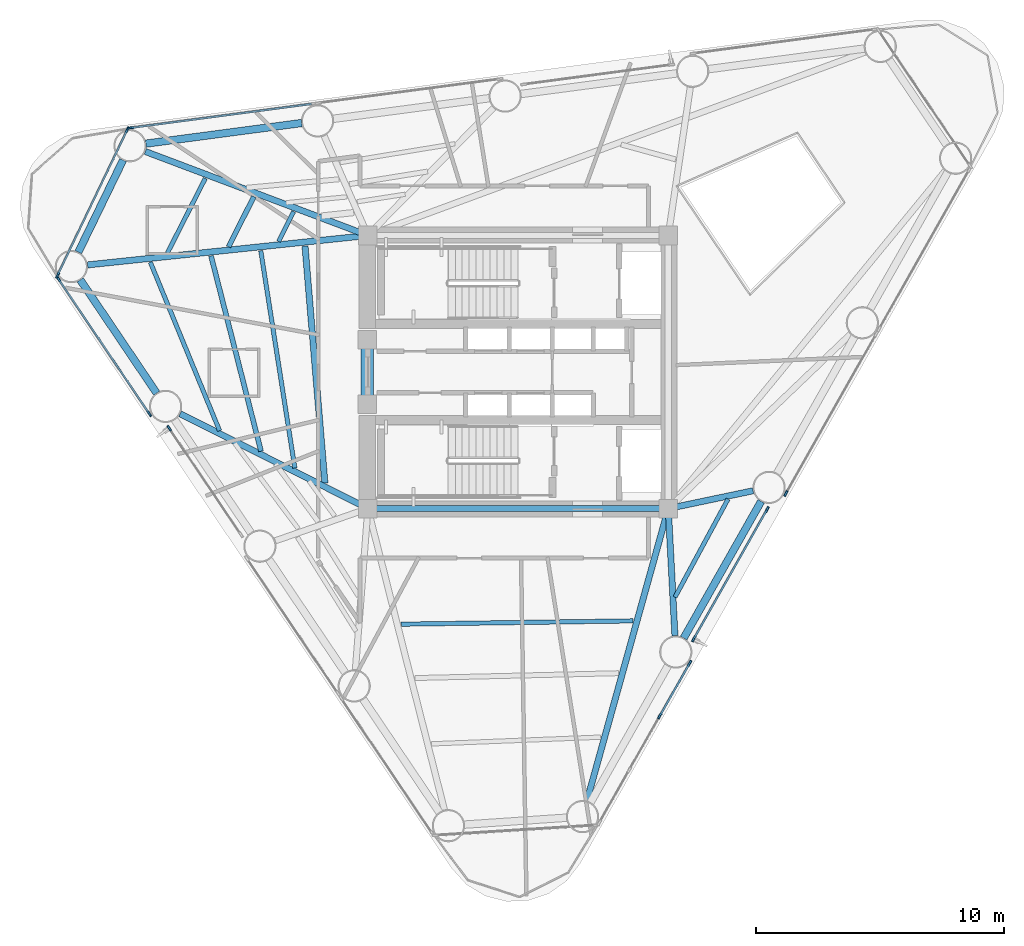
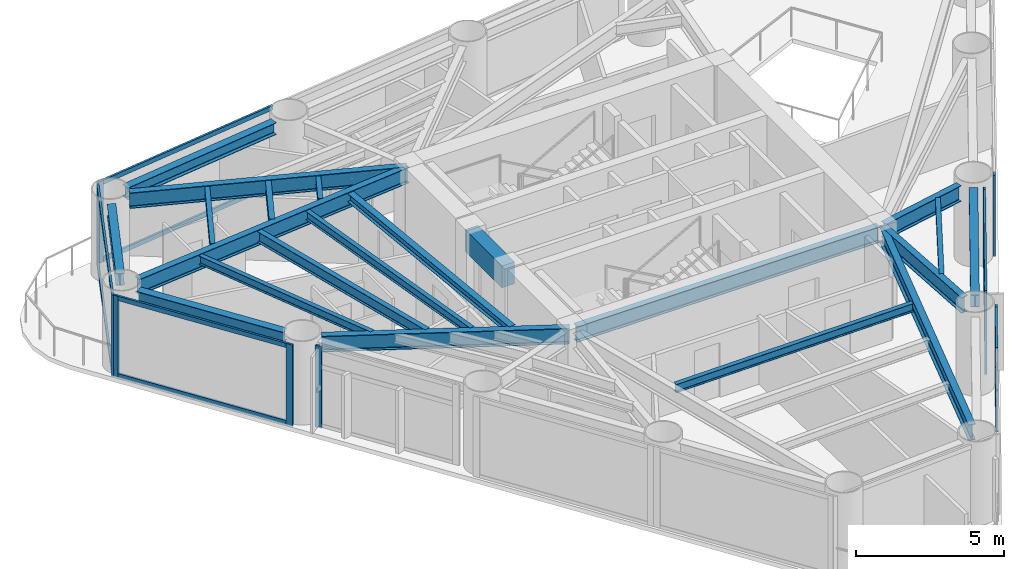
# One storey, part 2 of 9: 23 members, 21 beams, 7 elements without a shape of their own.
"""IFC4 building model written with IfcOpenShell, lengths in metres."""

from ifc_helpers import new_model, si_unit, direction, frame, origin, origin_2d, place, context, subcontext, project, spatial, rectangle, i_section, extrude, source, transform, mapped, material, layer, layer_set, material_profile, profile_set, type_object, element, aggregate, save


model = new_model("IFC4")

# Units and contexts
model_context = context("Model", 3, precision=1e-05, world=origin(), true_north=direction((0.0, 1.0)))
body_context = subcontext(model_context, "Body", "Model", "MODEL_VIEW")
ifc_project = project(units=[si_unit("LENGTHUNIT", "METRE"), si_unit("AREAUNIT", "SQUARE_METRE"), si_unit("VOLUMEUNIT", "CUBIC_METRE"), si_unit("PLANEANGLEUNIT", "RADIAN"), si_unit("MASSUNIT", "GRAM", prefix="KILO")], contexts=[model_context])

# Site, building, storey
site_placement = place(None, origin())
site = spatial("IfcSite", under=ifc_project, at=site_placement, CompositionType="ELEMENT")
building_placement = place(site_placement, origin())
building = spatial("IfcBuilding", under=site, at=building_placement, Name="Yunling Apex Tower", CompositionType="ELEMENT")
storey_placement = place(building_placement, frame((0.0, 0.0, 162.199951171875)))
storey = spatial("IfcBuildingStorey", under=building, at=storey_placement, Name="L39", CompositionType="ELEMENT", Elevation=162.199951171875)

# Beams
ifc_material_1 = material(Name="Concrete C50", Category="concrete")
ifc_material_profile_1 = material_profile(ifc_material_1, rectangle(XDim=0.5, YDim=0.89990234375, at=origin_2d()))
ifc_profile_set_1 = profile_set([ifc_material_profile_1], Name="Concrete C50")
beam_type_1 = type_object("IfcBeamType", Name="BC-CPL-2", PredefinedType="BEAM", material=ifc_profile_set_1)
shared_shape_1 = source(origin(), body_context, "Body", "SweptSolid", [
    extrude(rectangle(XDim=0.5, YDim=0.89990234375, at=origin_2d()), origin(), (0.0, 0.0, 1.0), 2.5),
])
beam_1_placement = place(storey_placement, frame((-6.074951171875, -1.25, 2.820068359375), z_axis=(0.0, 1.0, 0.0), x_axis=(-1.0, 0.0, 0.0)))
element("IfcBeam", 1, at=beam_1_placement, inside=storey, type_object=beam_type_1, Name="L39 Core West Portal Coupling Beam", PredefinedType="BEAM", context=body_context, shape_type="MappedRepresentation", body=[
    mapped(shared_shape_1, transform((0.0, 0.0, 0.0), scale=1.0)),
])
ifc_material_2 = material(Name="Steel Q355B", Category="steel")
ifc_material_profile_2 = material_profile(ifc_material_2, i_section(OverallWidth=0.25, OverallDepth=0.64990234375, WebThickness=0.011962890625, FlangeThickness=0.02001953125, FilletRadius=0.02392578125, at=origin_2d()))
ifc_profile_set_2 = profile_set([ifc_material_profile_2], Name="Steel Q355B")
beam_type_2 = type_object("IfcBeamType", Name="BG-PRI-4", PredefinedType="USERDEFINED", material=ifc_profile_set_2)
shared_shape_2 = source(origin(), body_context, "Body", "SweptSolid", [
    extrude(i_section(OverallWidth=0.25, OverallDepth=0.64990234375, WebThickness=0.011962890625, FlangeThickness=0.02001953125, FilletRadius=0.02392578125, at=origin_2d()), origin(), (0.0, 0.0, 1.0), 11.7998046875),
])
beam_2_placement = place(storey_placement, frame((-5.89990234375, -5.5, 2.945068359375), z_axis=(1.0, 0.0, 0.0), x_axis=(0.0, 1.0, 0.0)))
element("IfcBeam", 2, at=beam_2_placement, inside=storey, type_object=beam_type_2, Name="L39 Core Ring Tie Beam 1", ObjectType="GIRDER", PredefinedType="USERDEFINED", context=body_context, shape_type="MappedRepresentation", body=[
    mapped(shared_shape_2, transform((0.0, 0.0, 0.0), scale=1.0)),
])
ifc_material_profile_3 = material_profile(ifc_material_2, i_section(OverallWidth=0.300048828125, OverallDepth=0.489990234375, WebThickness=0.010986328125, FlangeThickness=0.01806640625, FilletRadius=0.02197265625, at=origin_2d()))
ifc_profile_set_3 = profile_set([ifc_material_profile_3], Name="Steel Q355B")
beam_type_3 = type_object("IfcBeamType", Name="BP-SPN-2", PredefinedType="SPANDREL", material=ifc_profile_set_3)
shared_shape_3 = source(origin(), body_context, "Body", "SweptSolid", [
    extrude(i_section(OverallWidth=0.300048828125, OverallDepth=0.489990234375, WebThickness=0.010986328125, FlangeThickness=0.01806640625, FilletRadius=0.02197265625, at=origin_2d()), origin(), (0.0, 0.0, 1.0), 6.33251953125),
])
for number, where, z_axis, x_axis, name in (
    (3, (6.66943359375, -10.717529296875, 3.025146484375), (0.493030081742, 0.870012263418, 0.0), (-0.870012263418, 0.493030081742, 0.0), "L39 Perimeter Spandrel Beam 2"),
    (4, (-8.715576171875, 10.02978515625, 3.025146484375), (-0.991351373324, -0.131234349957, 0.0), (0.131234349957, -0.991351373324, 0.0), "L39 Perimeter Spandrel Beam 9"),
):
    element("IfcBeam", number, at=place(storey_placement, frame(where, z_axis=z_axis, x_axis=x_axis)), inside=storey, type_object=beam_type_3, Name=name, PredefinedType="SPANDREL", context=body_context, shape_type="MappedRepresentation", body=[
        mapped(shared_shape_3, transform((0.0, 0.0, 0.0), scale=1.0)),
    ])
shared_shape_4 = source(origin(), body_context, "Body", "SweptSolid", [
    extrude(i_section(OverallWidth=0.300048828125, OverallDepth=0.489990234375, WebThickness=0.010986328125, FlangeThickness=0.01806640625, FilletRadius=0.02197265625, at=origin_2d()), origin(), (0.0, 0.0, 1.0), 4.1240234375),
])
beam_3_placement = place(storey_placement, frame((-15.9130859375, 8.534912109375, 3.025146484375), z_axis=(-0.436645295051, -0.899633751206, 0.0), x_axis=(0.899633751206, -0.436645295051, 0.0)))
element("IfcBeam", 5, at=beam_3_placement, inside=storey, type_object=beam_type_3, Name="L39 Perimeter Spandrel Beam 10", PredefinedType="SPANDREL", context=body_context, shape_type="MappedRepresentation", body=[
    mapped(shared_shape_4, transform((0.0, 0.0, 0.0), scale=1.0)),
])
shared_shape_5 = source(origin(), body_context, "Body", "SweptSolid", [
    extrude(i_section(OverallWidth=0.300048828125, OverallDepth=0.489990234375, WebThickness=0.010986328125, FlangeThickness=0.01806640625, FilletRadius=0.02197265625, at=origin_2d()), origin(), (0.0, 0.0, 1.0), 5.5029296875),
])
beam_4_placement = place(storey_placement, frame((-17.635009765625, 3.711181640625, 3.025146484375), z_axis=(0.559227477119, -0.829014251286, 0.0), x_axis=(0.829014251286, 0.559227477119, 0.0)))
element("IfcBeam", 6, at=beam_4_placement, inside=storey, type_object=beam_type_3, Name="L39 Perimeter Spandrel Beam 11", PredefinedType="SPANDREL", context=body_context, shape_type="MappedRepresentation", body=[
    mapped(shared_shape_5, transform((0.0, 0.0, 0.0), scale=1.0)),
])
shared_shape_6 = source(origin(), body_context, "Body", "SweptSolid", [
    extrude(i_section(OverallWidth=0.25, OverallDepth=0.64990234375, WebThickness=0.011962890625, FlangeThickness=0.02001953125, FilletRadius=0.02392578125, at=origin_2d()), origin(), (0.0, 0.0, 1.0), 12.141845703125),
])
beam_5_placement = place(storey_placement, frame((2.771240234375, -17.27392578125, 2.945068359375), z_axis=(0.268272262363, 0.9633431337, 0.0), x_axis=(-0.9633431337, 0.268272262363, 0.0)))
element("IfcBeam", 7, at=beam_5_placement, inside=storey, type_object=beam_type_2, Name="L39 Radial Primary Girder R01", ObjectType="GIRDER", PredefinedType="USERDEFINED", context=body_context, shape_type="MappedRepresentation", body=[
    mapped(shared_shape_6, transform((0.0, 0.0, 0.0), scale=1.0)),
])
shared_shape_7 = source(origin(), body_context, "Body", "SweptSolid", [
    extrude(i_section(OverallWidth=0.25, OverallDepth=0.64990234375, WebThickness=0.011962890625, FlangeThickness=0.02001953125, FilletRadius=0.02392578125, at=origin_2d()), origin(), (0.0, 0.0, 1.0), 5.0478515625),
])
beam_6_placement = place(storey_placement, frame((6.317626953125, -10.620849609375, 2.945068359375), z_axis=(-0.052185671931, 0.998637399482, 0.0), x_axis=(-0.998637399482, -0.052185671931, 0.0)))
element("IfcBeam", 8, at=beam_6_placement, inside=storey, type_object=beam_type_2, Name="L39 Radial Primary Girder R02", ObjectType="GIRDER", PredefinedType="USERDEFINED", context=body_context, shape_type="MappedRepresentation", body=[
    mapped(shared_shape_7, transform((0.0, 0.0, 0.0), scale=1.0)),
])
shared_shape_8 = source(origin(), body_context, "Body", "SweptSolid", [
    extrude(i_section(OverallWidth=0.25, OverallDepth=0.64990234375, WebThickness=0.011962890625, FlangeThickness=0.02001953125, FilletRadius=0.02392578125, at=origin_2d()), origin(), (0.0, 0.0, 1.0), 3.409423828125),
])
beam_7_placement = place(storey_placement, frame((9.465087890625, -4.783203125, 2.945068359375), z_axis=(-0.978668904593, -0.205443849219, 0.0), x_axis=(0.205443849219, -0.978668904593, 0.0)))
element("IfcBeam", 9, at=beam_7_placement, inside=storey, type_object=beam_type_2, Name="L39 Radial Primary Girder R03", ObjectType="GIRDER", PredefinedType="USERDEFINED", context=body_context, shape_type="MappedRepresentation", body=[
    mapped(shared_shape_8, transform((0.0, 0.0, 0.0), scale=1.0)),
])
shared_shape_9 = source(origin(), body_context, "Body", "SweptSolid", [
    extrude(i_section(OverallWidth=0.25, OverallDepth=0.64990234375, WebThickness=0.011962890625, FlangeThickness=0.02001953125, FilletRadius=0.02392578125, at=origin_2d()), origin(), (0.0, 0.0, 1.0), 9.502685546875),
])
beam_8_placement = place(storey_placement, frame((-15.01611328125, 8.882080078125, 2.945068359375), z_axis=(0.935649587533, -0.352930374648, 0.0), x_axis=(0.352930374648, 0.935649587533, 0.0)))
element("IfcBeam", 10, at=beam_8_placement, inside=storey, type_object=beam_type_2, Name="L39 Radial Primary Girder R10", ObjectType="GIRDER", PredefinedType="USERDEFINED", context=body_context, shape_type="MappedRepresentation", body=[
    mapped(shared_shape_9, transform((0.0, 0.0, 0.0), scale=1.0)),
])
shared_shape_10 = source(origin(), body_context, "Body", "SweptSolid", [
    extrude(i_section(OverallWidth=0.25, OverallDepth=0.64990234375, WebThickness=0.011962890625, FlangeThickness=0.02001953125, FilletRadius=0.02392578125, at=origin_2d()), origin(), (0.0, 0.0, 1.0), 11.272705078125),
])
beam_9_placement = place(storey_placement, frame((-17.340576171875, 4.31396484375, 2.945068359375), z_axis=(0.99452726712, 0.104477341825, 0.0), x_axis=(-0.104477341825, 0.99452726712, 0.0)))
element("IfcBeam", 11, at=beam_9_placement, inside=storey, type_object=beam_type_2, Name="L39 Radial Primary Girder R11", ObjectType="GIRDER", PredefinedType="USERDEFINED", context=body_context, shape_type="MappedRepresentation", body=[
    mapped(shared_shape_10, transform((0.0, 0.0, 0.0), scale=1.0)),
])
shared_shape_11 = source(origin(), body_context, "Body", "SweptSolid", [
    extrude(i_section(OverallWidth=0.25, OverallDepth=0.64990234375, WebThickness=0.011962890625, FlangeThickness=0.02001953125, FilletRadius=0.02392578125, at=origin_2d()), origin(), (0.0, 0.0, 1.0), 8.389892578125),
])
beam_10_placement = place(storey_placement, frame((-13.610107421875, -1.681396484375, 2.945068359375), z_axis=(0.892603997322, -0.450841550841, 0.0), x_axis=(0.450841550841, 0.892603997322, 0.0)))
element("IfcBeam", 12, at=beam_10_placement, inside=storey, type_object=beam_type_2, Name="L39 Radial Primary Girder R12", ObjectType="GIRDER", PredefinedType="USERDEFINED", context=body_context, shape_type="MappedRepresentation", body=[
    mapped(shared_shape_11, transform((0.0, 0.0, 0.0), scale=1.0)),
])
ifc_material_profile_4 = material_profile(ifc_material_2, i_section(OverallWidth=0.175048828125, OverallDepth=0.35009765625, WebThickness=0.007080078125, FlangeThickness=0.010986328125, FilletRadius=0.013916015625, at=origin_2d()))
ifc_profile_set_4 = profile_set([ifc_material_profile_4], Name="Steel Q355B")
beam_type_4 = type_object("IfcBeamType", Name="BJ-JST-1", PredefinedType="JOIST", material=ifc_profile_set_4)
shared_shape_12 = source(origin(), body_context, "Body", "SweptSolid", [
    extrude(i_section(OverallWidth=0.175048828125, OverallDepth=0.35009765625, WebThickness=0.007080078125, FlangeThickness=0.010986328125, FilletRadius=0.013916015625, at=origin_2d()), origin(), (0.0, 0.0, 1.0), 4.488525390625),
])
beam_11_placement = place(storey_placement, frame((6.31982421875, -9.068603515625, 3.094970703125), z_axis=(0.475594391265, 0.87966469464, 0.0), x_axis=(-0.87966469464, 0.475594391265, 0.0)))
element("IfcBeam", 13, at=beam_11_placement, inside=storey, type_object=beam_type_4, Name="L39 Composite Floor Joist BJ1-2", PredefinedType="JOIST", context=body_context, shape_type="MappedRepresentation", body=[
    mapped(shared_shape_12, transform((0.0, 0.0, 0.0), scale=1.0)),
])
ifc_material_profile_5 = material_profile(ifc_material_2, i_section(OverallWidth=0.199951171875, OverallDepth=0.449951171875, WebThickness=0.009033203125, FlangeThickness=0.013916015625, FilletRadius=0.01806640625, at=origin_2d()))
ifc_profile_set_5 = profile_set([ifc_material_profile_5], Name="Steel Q355B")
beam_type_5 = type_object("IfcBeamType", Name="BS-SEC-3", PredefinedType="BEAM", material=ifc_profile_set_5)
shared_shape_13 = source(origin(), body_context, "Body", "SweptSolid", [
    extrude(i_section(OverallWidth=0.199951171875, OverallDepth=0.449951171875, WebThickness=0.009033203125, FlangeThickness=0.013916015625, FilletRadius=0.01806640625, at=origin_2d()), origin(), (0.0, 0.0, 1.0), 2.260498046875),
])
beam_12_placement = place(storey_placement, frame((-10.642578125, 7.0625, 3.045166015625), z_axis=(-0.451356210078, -0.892343864003, 0.0), x_axis=(0.892343864003, -0.451356210078, 0.0)))
element("IfcBeam", 14, at=beam_12_placement, inside=storey, type_object=beam_type_5, Name="L39 Composite Floor Beam BS-10", PredefinedType="BEAM", context=body_context, shape_type="MappedRepresentation", body=[
    mapped(shared_shape_13, transform((0.0, 0.0, 0.0), scale=1.0)),
])
shared_shape_14 = source(origin(), body_context, "Body", "SweptSolid", [
    extrude(i_section(OverallWidth=0.175048828125, OverallDepth=0.35009765625, WebThickness=0.007080078125, FlangeThickness=0.010986328125, FilletRadius=0.013916015625, at=origin_2d()), origin(), (0.0, 0.0, 1.0), 3.380126953125),
])
beam_13_placement = place(storey_placement, frame((-12.59912109375, 7.80029296875, 3.094970703125), z_axis=(-0.452665854376, -0.891680225351, 0.0), x_axis=(0.891680225351, -0.452665854376, 0.0)))
element("IfcBeam", 15, at=beam_13_placement, inside=storey, type_object=beam_type_4, Name="L39 Composite Floor Joist BJ1-10", PredefinedType="JOIST", context=body_context, shape_type="MappedRepresentation", body=[
    mapped(shared_shape_14, transform((0.0, 0.0, 0.0), scale=1.0)),
])
shared_shape_15 = source(origin(), body_context, "Body", "SweptSolid", [
    extrude(i_section(OverallWidth=0.175048828125, OverallDepth=0.35009765625, WebThickness=0.007080078125, FlangeThickness=0.010986328125, FilletRadius=0.013916015625, at=origin_2d()), origin(), (0.0, 0.0, 1.0), 1.34375),
])
beam_14_placement = place(storey_placement, frame((-9.0419921875, 6.45849609375, 3.094970703125), z_axis=(-0.448956972961, -0.893553376374, 0.0), x_axis=(0.893553376374, -0.448956972961, 0.0)))
element("IfcBeam", 16, at=beam_14_placement, inside=storey, type_object=beam_type_4, Name="L39 Composite Floor Joist BJ3-10", PredefinedType="JOIST", context=body_context, shape_type="MappedRepresentation", body=[
    mapped(shared_shape_15, transform((0.0, 0.0, 0.0), scale=1.0)),
])
shared_shape_16 = source(origin(), body_context, "Body", "SweptSolid", [
    extrude(i_section(OverallWidth=0.199951171875, OverallDepth=0.449951171875, WebThickness=0.009033203125, FlangeThickness=0.013916015625, FilletRadius=0.01806640625, at=origin_2d()), origin(), (0.0, 0.0, 1.0), 8.121337890625),
])
beam_15_placement = place(storey_placement, frame((-12.3681640625, 4.677001953125, 3.045166015625), z_axis=(0.247914612688, -0.968781887122, 0.0), x_axis=(0.968781887122, 0.247914612688, 0.0)))
element("IfcBeam", 17, at=beam_15_placement, inside=storey, type_object=beam_type_5, Name="L39 Composite Floor Beam BS-11", PredefinedType="BEAM", context=body_context, shape_type="MappedRepresentation", body=[
    mapped(shared_shape_16, transform((0.0, 0.0, 0.0), scale=1.0)),
])
shared_shape_17 = source(origin(), body_context, "Body", "SweptSolid", [
    extrude(i_section(OverallWidth=0.175048828125, OverallDepth=0.35009765625, WebThickness=0.007080078125, FlangeThickness=0.010986328125, FilletRadius=0.013916015625, at=origin_2d()), origin(), (0.0, 0.0, 1.0), 7.34130859375),
])
beam_16_placement = place(storey_placement, frame((-14.8134765625, 4.425048828125, 3.094970703125), z_axis=(0.380043851262, -0.924968470337, 0.0), x_axis=(0.924968470337, 0.380043851262, 0.0)))
element("IfcBeam", 18, at=beam_16_placement, inside=storey, type_object=beam_type_4, Name="L39 Composite Floor Joist BJ1-11", PredefinedType="JOIST", context=body_context, shape_type="MappedRepresentation", body=[
    mapped(shared_shape_17, transform((0.0, 0.0, 0.0), scale=1.0)),
])
shared_shape_18 = source(origin(), body_context, "Body", "SweptSolid", [
    extrude(i_section(OverallWidth=0.175048828125, OverallDepth=0.35009765625, WebThickness=0.007080078125, FlangeThickness=0.010986328125, FilletRadius=0.013916015625, at=origin_2d()), origin(), (0.0, 0.0, 1.0), 8.861328125),
])
beam_17_placement = place(storey_placement, frame((-10.364990234375, 4.885986328125, 3.094970703125), z_axis=(0.154946679134, -0.987922834348, 0.0), x_axis=(0.987922834348, 0.154946679134, 0.0)))
element("IfcBeam", 19, at=beam_17_placement, inside=storey, type_object=beam_type_4, Name="L39 Composite Floor Joist BJ3-11", PredefinedType="JOIST", context=body_context, shape_type="MappedRepresentation", body=[
    mapped(shared_shape_18, transform((0.0, 0.0, 0.0), scale=1.0)),
])
ifc_material_profile_6 = material_profile(ifc_material_2, i_section(OverallWidth=0.25, OverallDepth=0.340087890625, WebThickness=0.009033203125, FlangeThickness=0.013916015625, FilletRadius=0.01806640625, at=origin_2d()))
ifc_profile_set_6 = profile_set([ifc_material_profile_6], Name="Steel Q355B")
beam_type_6 = type_object("IfcBeamType", Name="BJ-JST-2", PredefinedType="JOIST", material=ifc_profile_set_6)
shared_shape_19 = source(origin(), body_context, "Body", "SweptSolid", [
    extrude(i_section(OverallWidth=0.25, OverallDepth=0.340087890625, WebThickness=0.009033203125, FlangeThickness=0.013916015625, FilletRadius=0.01806640625, at=origin_2d()), origin(), (0.0, 0.0, 1.0), 9.578857421875),
])
beam_18_placement = place(storey_placement, frame((-8.582763671875, 5.072998046875, 3.10009765625), z_axis=(0.083572791263, -0.996501675142, 0.0), x_axis=(0.996501675142, 0.083572791263, 0.0)))
element("IfcBeam", 20, at=beam_18_placement, inside=storey, type_object=beam_type_6, Name="L39 Composite Floor Joist BJ2-11", PredefinedType="JOIST", context=body_context, shape_type="MappedRepresentation", body=[
    mapped(shared_shape_19, transform((0.0, 0.0, 0.0), scale=1.0)),
])
shared_shape_20 = source(origin(), body_context, "Body", "SweptSolid", [
    extrude(i_section(OverallWidth=0.175048828125, OverallDepth=0.35009765625, WebThickness=0.007080078125, FlangeThickness=0.010986328125, FilletRadius=0.013916015625, at=origin_2d()), origin(), (0.0, 0.0, 1.0), 9.337890625),
])
beam_19_placement = place(storey_placement, frame((-4.706298828125, -10.157958984375, 3.094970703125), z_axis=(0.99989735504, 0.014327574275, 0.0), x_axis=(-0.014327574275, 0.99989735504, 0.0)))
element("IfcBeam", 21, at=beam_19_placement, inside=storey, type_object=beam_type_4, Name="L39 Composite Floor Joist BJ3-15", PredefinedType="JOIST", context=body_context, shape_type="MappedRepresentation", body=[
    mapped(shared_shape_20, transform((0.0, 0.0, 0.0), scale=1.0)),
])

# Curtain wall, members
ifc_material_3 = material(Name="Bronze anodised aluminium", Category="aluminium")
ifc_layer = layer(ifc_material_3, 0.239990234375)
ifc_layer_set = layer_set([ifc_layer], Name="Bronze anodised aluminium")
curtain_wall_type = type_object("IfcCurtainWallType", Name="CW-SYS-3", PredefinedType="NOTDEFINED", material=ifc_layer_set)
curtain_wall_1_placement = place(storey_placement, origin())
curtain_wall_1 = element("IfcCurtainWall", 22, at=curtain_wall_1_placement, inside=storey, type_object=curtain_wall_type, Name="CW-L39-F1-B1", PredefinedType="NOTDEFINED")
ifc_material_profile_7 = material_profile(ifc_material_3, rectangle(XDim=0.080078125, YDim=0.239990234375, at=origin_2d()))
ifc_profile_set_7 = profile_set([ifc_material_profile_7], Name="Bronze anodised aluminium")
member_type_1 = type_object("IfcMemberType", Name="CW-MUL-3", PredefinedType="MULLION", material=ifc_profile_set_7)
shared_shape_21 = source(origin(), body_context, "Body", "SweptSolid", [
    extrude(rectangle(XDim=0.080078125, YDim=0.239990234375, at=origin_2d()), origin(), (0.0, 0.0, 1.0), 3.3701171875),
])
member_1_placement = place(storey_placement, frame((5.7041015625, -13.861083984375, -0.050048828125), z_axis=(0.0, 0.0, 1.0), x_axis=(-0.870006087438, 0.493040979859, 0.0)))
member_1 = element("IfcMember", 23, at=member_1_placement, type_object=member_type_1, Name="CW-SYS-3 mullion 3", PredefinedType="MULLION", context=body_context, shape_type="MappedRepresentation", body=[
    mapped(shared_shape_21, transform((0.0, 0.0, 0.0), scale=1.0)),
])
member_2_placement = place(storey_placement, frame((6.910400390625, -11.732421875, -0.050048828125), z_axis=(0.0, 0.0, 1.0), x_axis=(-0.870006087438, 0.493040979859, 0.0)))
member_2 = element("IfcMember", 24, at=member_2_placement, type_object=member_type_1, Name="CW-SYS-3 mullion 4", PredefinedType="MULLION", context=body_context, shape_type="MappedRepresentation", body=[
    mapped(shared_shape_21, transform((0.0, 0.0, 0.0), scale=1.0)),
])

curtain_wall_2_placement = place(storey_placement, origin())
curtain_wall_2 = element("IfcCurtainWall", 25, at=curtain_wall_2_placement, inside=storey, type_object=curtain_wall_type, Name="CW-L39-F1-B2", PredefinedType="NOTDEFINED")
member_3_placement = place(storey_placement, frame((7.0732421875, -10.755615234375, -0.050048828125), z_axis=(0.0, 0.0, 1.0), x_axis=(-0.87000266867, 0.493047012471, 0.0)))
member_3 = element("IfcMember", 26, at=member_3_placement, type_object=member_type_1, Name="CW-SYS-3 mullion 1", PredefinedType="MULLION", context=body_context, shape_type="MappedRepresentation", body=[
    mapped(shared_shape_21, transform((0.0, 0.0, 0.0), scale=1.0)),
])
member_4_placement = place(storey_placement, frame((10.03173828125, -5.53515625, -0.050048828125), z_axis=(0.0, 0.0, 1.0), x_axis=(-0.87000266867, 0.493047012471, 0.0)))
member_4 = element("IfcMember", 27, at=member_4_placement, type_object=member_type_1, Name="CW-SYS-3 mullion 2", PredefinedType="MULLION", context=body_context, shape_type="MappedRepresentation", body=[
    mapped(shared_shape_21, transform((0.0, 0.0, 0.0), scale=1.0)),
])

# Curtain wall, member
curtain_wall_3_placement = place(storey_placement, origin())
curtain_wall_3 = element("IfcCurtainWall", 28, at=curtain_wall_3_placement, inside=storey, type_object=curtain_wall_type, Name="CW-L39-F1-B3", PredefinedType="NOTDEFINED")
member_5_placement = place(storey_placement, frame((10.785888671875, -4.8935546875, -0.050048828125), z_axis=(0.0, 0.0, 1.0), x_axis=(-0.870009345679, 0.493035230416, 0.0)))
member_5 = element("IfcMember", 29, at=member_5_placement, type_object=member_type_1, Name="CW-SYS-3 mullion 1", PredefinedType="MULLION", context=body_context, shape_type="MappedRepresentation", body=[
    mapped(shared_shape_21, transform((0.0, 0.0, 0.0), scale=1.0)),
])
aggregate(curtain_wall_3, [member_5])

curtain_wall_4_placement = place(storey_placement, origin())
curtain_wall_4 = element("IfcCurtainWall", 30, at=curtain_wall_4_placement, inside=storey, type_object=curtain_wall_type, Name="CW-L39-F2-B4", PredefinedType="NOTDEFINED")
member_6_placement = place(storey_placement, frame((-15.60595703125, 9.833740234375, -0.050048828125), z_axis=(0.0, 0.0, 1.0), x_axis=(0.131222473138, -0.991352945496, 0.0)))
member_6 = element("IfcMember", 31, at=member_6_placement, type_object=member_type_1, Name="CW-SYS-3 mullion 2", PredefinedType="MULLION", context=body_context, shape_type="MappedRepresentation", body=[
    mapped(shared_shape_21, transform((0.0, 0.0, 0.0), scale=1.0)),
])

# Curtain wall, members
curtain_wall_5_placement = place(storey_placement, origin())
curtain_wall_5 = element("IfcCurtainWall", 32, at=curtain_wall_5_placement, inside=storey, type_object=curtain_wall_type, Name="CW-L39-CRN2", PredefinedType="NOTDEFINED")
member_7_placement = place(storey_placement, frame((-15.73974609375, 9.76220703125, -0.050048828125), z_axis=(0.0, 0.0, 1.0), x_axis=(0.901876554496, -0.431993843071, 0.0)))
member_7 = element("IfcMember", 33, at=member_7_placement, type_object=member_type_1, Name="CW-SYS-3 mullion 1", PredefinedType="MULLION", context=body_context, shape_type="MappedRepresentation", body=[
    mapped(shared_shape_21, transform((0.0, 0.0, 0.0), scale=1.0)),
])
member_8_placement = place(storey_placement, frame((-18.5498046875, 3.8955078125, -0.050048828125), z_axis=(0.0, 0.0, 1.0), x_axis=(0.901876554496, -0.431993843071, 0.0)))
member_8 = element("IfcMember", 34, at=member_8_placement, type_object=member_type_1, Name="CW-SYS-3 mullion 2", PredefinedType="MULLION", context=body_context, shape_type="MappedRepresentation", body=[
    mapped(shared_shape_21, transform((0.0, 0.0, 0.0), scale=1.0)),
])

curtain_wall_6_placement = place(storey_placement, origin())
curtain_wall_6 = element("IfcCurtainWall", 35, at=curtain_wall_6_placement, inside=storey, type_object=curtain_wall_type, Name="CW-L39-F3-B1", PredefinedType="NOTDEFINED")
member_9_placement = place(storey_placement, frame((-18.5166015625, 3.748779296875, -0.050048828125), z_axis=(0.0, 0.0, 1.0), x_axis=(0.829045302692, 0.559181442901, 0.0)))
member_9 = element("IfcMember", 36, at=member_9_placement, type_object=member_type_1, Name="CW-SYS-3 mullion 1", PredefinedType="MULLION", context=body_context, shape_type="MappedRepresentation", body=[
    mapped(shared_shape_21, transform((0.0, 0.0, 0.0), scale=1.0)),
])
member_10_placement = place(storey_placement, frame((-14.853271484375, -1.682373046875, -0.050048828125), z_axis=(0.0, 0.0, 1.0), x_axis=(0.829045302692, 0.559181442901, 0.0)))
member_10 = element("IfcMember", 37, at=member_10_placement, type_object=member_type_1, Name="CW-SYS-3 mullion 2", PredefinedType="MULLION", context=body_context, shape_type="MappedRepresentation", body=[
    mapped(shared_shape_21, transform((0.0, 0.0, 0.0), scale=1.0)),
])

# Curtain wall, member
curtain_wall_7_placement = place(storey_placement, origin())
curtain_wall_7 = element("IfcCurtainWall", 38, at=curtain_wall_7_placement, inside=storey, type_object=curtain_wall_type, Name="CW-L39-F3-B2", PredefinedType="NOTDEFINED")
member_11_placement = place(storey_placement, frame((-14.05126953125, -2.263427734375, -0.050048828125), z_axis=(0.0, 0.0, 1.0), x_axis=(0.829026137089, 0.559209856873, 0.0)))
member_11 = element("IfcMember", 39, at=member_11_placement, type_object=member_type_1, Name="CW-SYS-3 mullion 1", PredefinedType="MULLION", context=body_context, shape_type="MappedRepresentation", body=[
    mapped(shared_shape_21, transform((0.0, 0.0, 0.0), scale=1.0)),
])
aggregate(curtain_wall_7, [member_11])

# Member
ifc_material_profile_8 = material_profile(ifc_material_3, rectangle(XDim=0.080078125, YDim=0.18505859375, at=origin_2d()))
ifc_profile_set_8 = profile_set([ifc_material_profile_8], Name="Bronze anodised aluminium")
member_type_2 = type_object("IfcMemberType", Name="CW-TRN-3", PredefinedType="USERDEFINED", material=ifc_profile_set_8)
shared_shape_22 = source(origin(), body_context, "Body", "SweptSolid", [
    extrude(rectangle(XDim=0.080078125, YDim=0.18505859375, at=origin_2d()), origin(), (0.0, 0.0, 1.0), 2.374755859375),
])
member_12_placement = place(storey_placement, frame((5.721923828125, -13.829833984375, 0.0400390625), z_axis=(0.493035916127, 0.870008957085, 0.0), x_axis=(-0.870008957085, 0.493035916127, 0.0)))
member_12 = element("IfcMember", 40, at=member_12_placement, type_object=member_type_2, Name="CW-SYS-3 transom 3.1", ObjectType="TRANSOM", PredefinedType="USERDEFINED", context=body_context, shape_type="MappedRepresentation", body=[
    mapped(shared_shape_22, transform((0.0, 0.0, 0.0), scale=1.0)),
])

member_13_placement = place(storey_placement, frame((5.721923828125, -13.829833984375, 2.4853515625), z_axis=(0.493035916127, 0.870008957085, 0.0), x_axis=(-0.870008957085, 0.493035916127, 0.0)))
member_13 = element("IfcMember", 41, at=member_13_placement, type_object=member_type_2, Name="CW-SYS-3 transom 3.2", ObjectType="TRANSOM", PredefinedType="USERDEFINED", context=body_context, shape_type="MappedRepresentation", body=[
    mapped(shared_shape_22, transform((0.0, 0.0, 0.0), scale=1.0)),
])

member_14_placement = place(storey_placement, frame((5.721923828125, -13.829833984375, 3.22998046875), z_axis=(0.493035916127, 0.870008957085, 0.0), x_axis=(-0.870008957085, 0.493035916127, 0.0)))
member_14 = element("IfcMember", 42, at=member_14_placement, type_object=member_type_2, Name="CW-SYS-3 transom 3.3", ObjectType="TRANSOM", PredefinedType="USERDEFINED", context=body_context, shape_type="MappedRepresentation", body=[
    mapped(shared_shape_22, transform((0.0, 0.0, 0.0), scale=1.0)),
])

aggregate(curtain_wall_1, [member_1, member_2, member_12, member_13, member_14])

shared_shape_23 = source(origin(), body_context, "Body", "SweptSolid", [
    extrude(rectangle(XDim=0.080078125, YDim=0.18505859375, at=origin_2d()), origin(), (0.0, 0.0, 1.0), 5.9287109375),
])
member_15_placement = place(storey_placement, frame((7.0908203125, -10.724365234375, 0.0400390625), z_axis=(0.49304478118, 0.870003933182, 0.0), x_axis=(-0.870003933182, 0.49304478118, 0.0)))
member_15 = element("IfcMember", 43, at=member_15_placement, type_object=member_type_2, Name="CW-SYS-3 transom 1.1", ObjectType="TRANSOM", PredefinedType="USERDEFINED", context=body_context, shape_type="MappedRepresentation", body=[
    mapped(shared_shape_23, transform((0.0, 0.0, 0.0), scale=1.0)),
])

member_16_placement = place(storey_placement, frame((7.0908203125, -10.724365234375, 2.4853515625), z_axis=(0.49304478118, 0.870003933182, 0.0), x_axis=(-0.870003933182, 0.49304478118, 0.0)))
member_16 = element("IfcMember", 44, at=member_16_placement, type_object=member_type_2, Name="CW-SYS-3 transom 1.2", ObjectType="TRANSOM", PredefinedType="USERDEFINED", context=body_context, shape_type="MappedRepresentation", body=[
    mapped(shared_shape_23, transform((0.0, 0.0, 0.0), scale=1.0)),
])

member_17_placement = place(storey_placement, frame((7.0908203125, -10.724365234375, 3.22998046875), z_axis=(0.49304478118, 0.870003933182, 0.0), x_axis=(-0.870003933182, 0.49304478118, 0.0)))
member_17 = element("IfcMember", 45, at=member_17_placement, type_object=member_type_2, Name="CW-SYS-3 transom 1.3", ObjectType="TRANSOM", PredefinedType="USERDEFINED", context=body_context, shape_type="MappedRepresentation", body=[
    mapped(shared_shape_23, transform((0.0, 0.0, 0.0), scale=1.0)),
])

aggregate(curtain_wall_2, [member_3, member_4, member_15, member_16, member_17])

shared_shape_24 = source(origin(), body_context, "Body", "SweptSolid", [
    extrude(rectangle(XDim=0.080078125, YDim=0.18505859375, at=origin_2d()), origin(), (0.0, 0.0, 1.0), 7.30859375),
])
member_18_placement = place(storey_placement, frame((-8.324951171875, 10.797607421875, 0.0400390625), z_axis=(-0.991354063091, -0.131214029714, 0.0), x_axis=(0.131214029714, -0.991354063091, 0.0)))
member_18 = element("IfcMember", 46, at=member_18_placement, type_object=member_type_2, Name="CW-SYS-3 transom 1.1", ObjectType="TRANSOM", PredefinedType="USERDEFINED", context=body_context, shape_type="MappedRepresentation", body=[
    mapped(shared_shape_24, transform((0.0, 0.0, 0.0), scale=1.0)),
])

member_19_placement = place(storey_placement, frame((-8.324951171875, 10.797607421875, 3.22998046875), z_axis=(-0.991354063091, -0.131214029714, 0.0), x_axis=(0.131214029714, -0.991354063091, 0.0)))
member_19 = element("IfcMember", 47, at=member_19_placement, type_object=member_type_2, Name="CW-SYS-3 transom 1.2", ObjectType="TRANSOM", PredefinedType="USERDEFINED", context=body_context, shape_type="MappedRepresentation", body=[
    mapped(shared_shape_24, transform((0.0, 0.0, 0.0), scale=1.0)),
])

aggregate(curtain_wall_4, [member_6, member_18, member_19])

shared_shape_25 = source(origin(), body_context, "Body", "SweptSolid", [
    extrude(rectangle(XDim=0.080078125, YDim=0.18505859375, at=origin_2d()), origin(), (0.0, 0.0, 1.0), 6.43310546875),
])
member_20_placement = place(storey_placement, frame((-15.755126953125, 9.729736328125, 0.0400390625), z_axis=(-0.431999289768, -0.901873945538, 0.0), x_axis=(0.901873945538, -0.431999289768, 0.0)))
member_20 = element("IfcMember", 48, at=member_20_placement, type_object=member_type_2, Name="CW-SYS-3 transom 1.1", ObjectType="TRANSOM", PredefinedType="USERDEFINED", context=body_context, shape_type="MappedRepresentation", body=[
    mapped(shared_shape_25, transform((0.0, 0.0, 0.0), scale=1.0)),
])

member_21_placement = place(storey_placement, frame((-15.755126953125, 9.729736328125, 3.22998046875), z_axis=(-0.431999289768, -0.901873945538, 0.0), x_axis=(0.901873945538, -0.431999289768, 0.0)))
member_21 = element("IfcMember", 49, at=member_21_placement, type_object=member_type_2, Name="CW-SYS-3 transom 1.2", ObjectType="TRANSOM", PredefinedType="USERDEFINED", context=body_context, shape_type="MappedRepresentation", body=[
    mapped(shared_shape_25, transform((0.0, 0.0, 0.0), scale=1.0)),
])

aggregate(curtain_wall_5, [member_7, member_8, member_20, member_21])

shared_shape_26 = source(origin(), body_context, "Body", "SweptSolid", [
    extrude(rectangle(XDim=0.080078125, YDim=0.18505859375, at=origin_2d()), origin(), (0.0, 0.0, 1.0), 6.479248046875),
])
member_22_placement = place(storey_placement, frame((-18.496337890625, 3.718994140625, 0.0400390625), z_axis=(0.559179012054, -0.829046942265, 0.0), x_axis=(0.829046942265, 0.559179012054, 0.0)))
member_22 = element("IfcMember", 50, at=member_22_placement, type_object=member_type_2, Name="CW-SYS-3 transom 1.1", ObjectType="TRANSOM", PredefinedType="USERDEFINED", context=body_context, shape_type="MappedRepresentation", body=[
    mapped(shared_shape_26, transform((0.0, 0.0, 0.0), scale=1.0)),
])

member_23_placement = place(storey_placement, frame((-18.496337890625, 3.718994140625, 3.22998046875), z_axis=(0.559179012054, -0.829046942265, 0.0), x_axis=(0.829046942265, 0.559179012054, 0.0)))
member_23 = element("IfcMember", 51, at=member_23_placement, type_object=member_type_2, Name="CW-SYS-3 transom 1.2", ObjectType="TRANSOM", PredefinedType="USERDEFINED", context=body_context, shape_type="MappedRepresentation", body=[
    mapped(shared_shape_26, transform((0.0, 0.0, 0.0), scale=1.0)),
])

aggregate(curtain_wall_6, [member_9, member_10, member_22, member_23])

save(model, "model.ifc")
